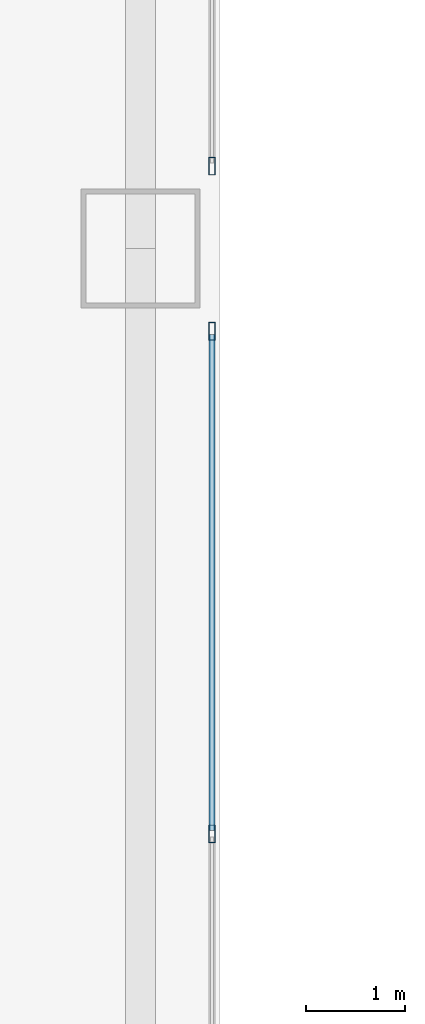
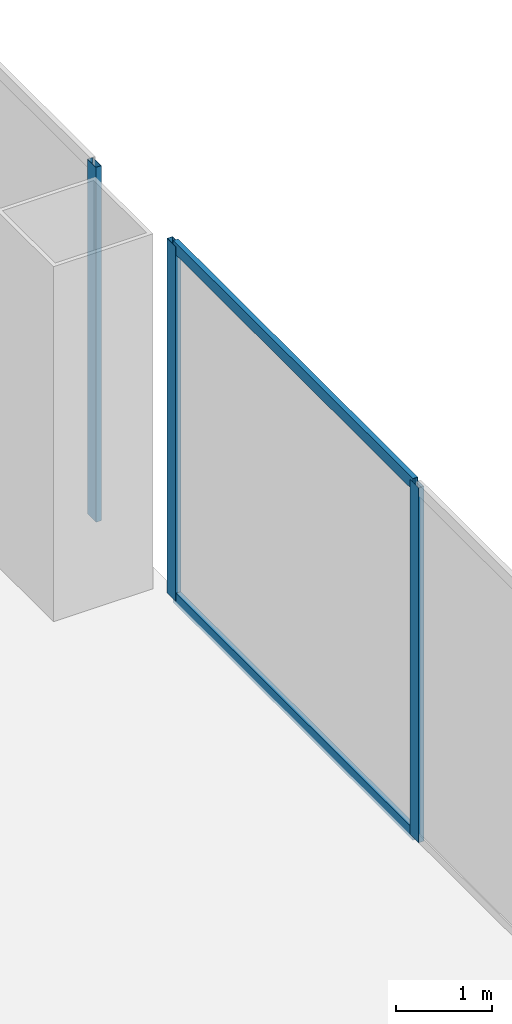
# One storey, part 31 of 58: 5 members, 2 elements without a shape of their own.
"""IFC4 building model written with IfcOpenShell, lengths in metres."""

from ifc_helpers import new_model, si_unit, direction, frame, origin, origin_2d, place, context, subcontext, project, spatial, hollow_rectangle, extrude, source, transform, mapped, material, layer, layer_set, material_profile, profile_set, type_object, element, aggregate, save


model = new_model("IFC4")

# Units and contexts
model_context = context("Model", 3, precision=1e-05, world=origin(), true_north=direction((0.0, 1.0)))
body_context = subcontext(model_context, "Body", "Model", "MODEL_VIEW")
ifc_project = project(units=[si_unit("LENGTHUNIT", "METRE"), si_unit("AREAUNIT", "SQUARE_METRE"), si_unit("VOLUMEUNIT", "CUBIC_METRE"), si_unit("PLANEANGLEUNIT", "RADIAN"), si_unit("MASSUNIT", "GRAM", prefix="KILO"), si_unit("THERMODYNAMICTEMPERATUREUNIT", "KELVIN"), si_unit("POWERUNIT", "WATT")], contexts=[model_context])

# Site, building, storey
site_placement = place(None, origin())
site = spatial("IfcSite", under=ifc_project, at=site_placement, CompositionType="ELEMENT")
building_placement = place(site_placement, origin())
building = spatial("IfcBuilding", under=site, at=building_placement, Name="Yunzhuo Pagoda Commons", CompositionType="ELEMENT")
storey_placement = place(building_placement, origin())
storey = spatial("IfcBuildingStorey", under=building, at=storey_placement, Name="L01", CompositionType="ELEMENT", Elevation=0.0)

# Curtain wall, members
ifc_material = material(Name="Anodized aluminium 6063-T6", Category="aluminium")
ifc_layer = layer(ifc_material, 0.179931640625)
ifc_layer_set = layer_set([ifc_layer], Name="Anodized aluminium 6063-T6")
curtain_wall_type = type_object("IfcCurtainWallType", Name="CW-POD Waterfront Podium Curtain Wall", PredefinedType="NOTDEFINED", material=ifc_layer_set)
curtain_wall_1_placement = place(storey_placement, origin())
curtain_wall_1 = element("IfcCurtainWall", 1, at=curtain_wall_1_placement, inside=storey, type_object=curtain_wall_type, Name="L01 curtain wall CW-L01-E3", PredefinedType="NOTDEFINED")
ifc_material_profile_1 = material_profile(ifc_material, hollow_rectangle(XDim=0.06494140625, YDim=0.179931640625, WallThickness=0.00390625, at=origin_2d()), Name="Anodized aluminium 6063-T6")
ifc_profile_set_1 = profile_set([ifc_material_profile_1], Name="Anodized aluminium 6063-T6")
member_type_1 = type_object("IfcMemberType", Name="CW-POD-M Mullion RHS 180x65x4", PredefinedType="MULLION", material=ifc_profile_set_1)
shared_shape_1 = source(origin(), body_context, "Body", "SweptSolid", [
    extrude(hollow_rectangle(XDim=0.06494140625, YDim=0.179931640625, WallThickness=0.00390625, at=origin_2d()), origin(), (0.0, 0.0, 1.0), 4.520263671875),
])
member_1_placement = place(storey_placement, frame((91.919921875, 56.10009765625, 0.0), z_axis=(0.0, 0.0, 1.0), x_axis=(-1.0, 0.0, 0.0)))
member_1 = element("IfcMember", 2, at=member_1_placement, type_object=member_type_1, Name="CW mullion 2", PredefinedType="MULLION", context=body_context, shape_type="MappedRepresentation", body=[
    mapped(shared_shape_1, transform((0.0, 0.0, 0.0), scale=1.0)),
])
member_2_placement = place(storey_placement, frame((91.919921875, 61.167724609375, 0.0), z_axis=(0.0, 0.0, 1.0), x_axis=(-1.0, 0.0, 0.0)))
member_2 = element("IfcMember", 3, at=member_2_placement, type_object=member_type_1, Name="CW mullion 3", PredefinedType="MULLION", context=body_context, shape_type="MappedRepresentation", body=[
    mapped(shared_shape_1, transform((0.0, 0.0, 0.0), scale=1.0)),
])

# Curtain wall, member
curtain_wall_2_placement = place(storey_placement, origin())
curtain_wall_2 = element("IfcCurtainWall", 4, at=curtain_wall_2_placement, inside=storey, type_object=curtain_wall_type, Name="L01 curtain wall CW-L01-E4", PredefinedType="NOTDEFINED")
member_3_placement = place(storey_placement, frame((91.919921875, 62.832763671875, 0.0), z_axis=(0.0, 0.0, 1.0), x_axis=(-1.0, 0.0, 0.0)))
member_3 = element("IfcMember", 5, at=member_3_placement, type_object=member_type_1, Name="CW mullion 1", PredefinedType="MULLION", context=body_context, shape_type="MappedRepresentation", body=[
    mapped(shared_shape_1, transform((0.0, 0.0, 0.0), scale=1.0)),
])
aggregate(curtain_wall_2, [member_3])

# Member
ifc_material_profile_2 = material_profile(ifc_material, hollow_rectangle(XDim=0.06005859375, YDim=0.14990234375, WallThickness=0.00390625, at=origin_2d()), Name="Anodized aluminium 6063-T6")
ifc_profile_set_2 = profile_set([ifc_material_profile_2], Name="Anodized aluminium 6063-T6")
member_type_2 = type_object("IfcMemberType", Name="CW-POD-T Transom RHS 150x60x4", PredefinedType="USERDEFINED", material=ifc_profile_set_2)
shared_shape_2 = source(origin(), body_context, "Body", "SweptSolid", [
    extrude(hollow_rectangle(XDim=0.06005859375, YDim=0.14990234375, WallThickness=0.00390625, at=origin_2d()), origin(), (0.0, 0.0, 1.0), 5.00244140625),
])
member_4_placement = place(storey_placement, frame((91.919921875, 56.132568359375, 0.030029296875), z_axis=(0.0, 1.0, 0.0), x_axis=(-1.0, 0.0, 0.0)))
member_4 = element("IfcMember", 6, at=member_4_placement, type_object=member_type_2, Name="CW transom 2.1", ObjectType="TRANSOM", PredefinedType="USERDEFINED", context=body_context, shape_type="MappedRepresentation", body=[
    mapped(shared_shape_2, transform((0.0, 0.0, 0.0), scale=1.0)),
])

member_5_placement = place(storey_placement, frame((91.919921875, 56.132568359375, 4.489990234375), z_axis=(0.0, 1.0, 0.0), x_axis=(-1.0, 0.0, 0.0)))
member_5 = element("IfcMember", 7, at=member_5_placement, type_object=member_type_2, Name="CW transom 2.2", ObjectType="TRANSOM", PredefinedType="USERDEFINED", context=body_context, shape_type="MappedRepresentation", body=[
    mapped(shared_shape_2, transform((0.0, 0.0, 0.0), scale=1.0)),
])

aggregate(curtain_wall_1, [member_1, member_2, member_4, member_5])

save(model, "model.ifc")
